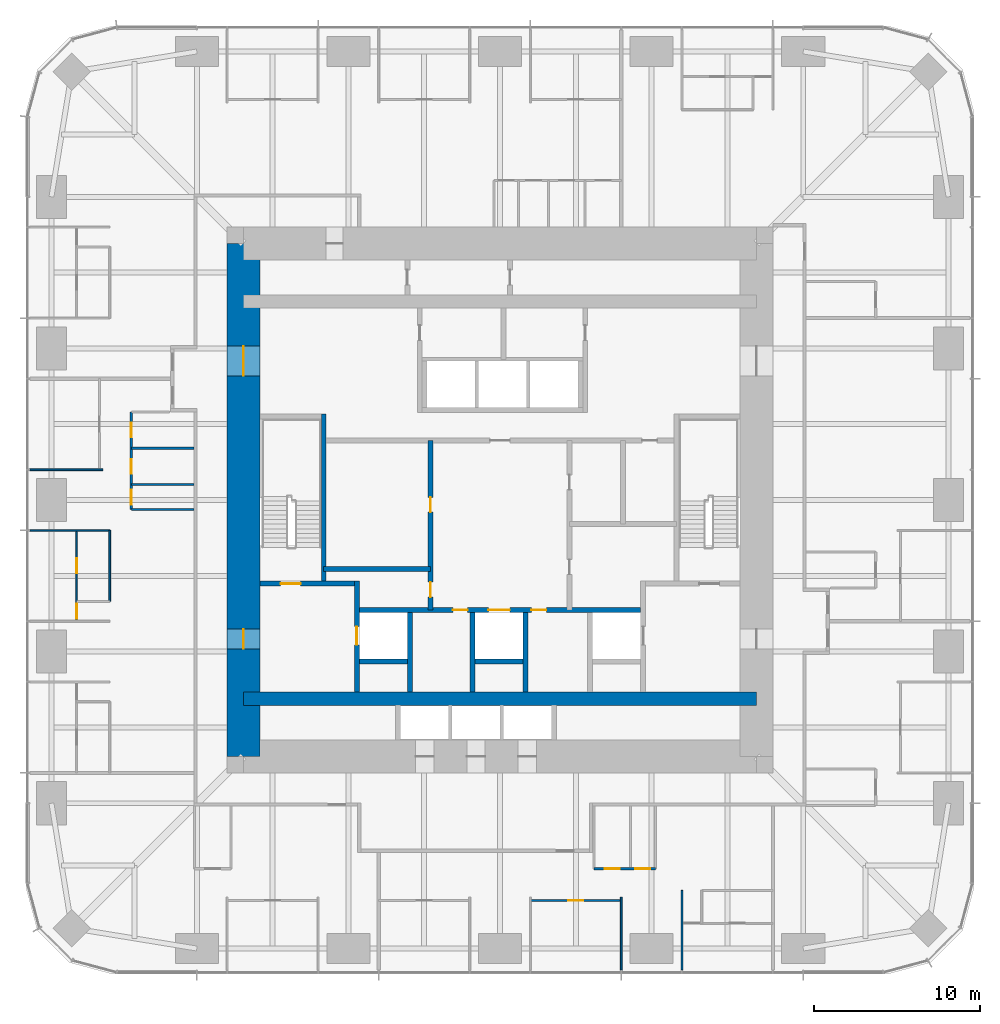
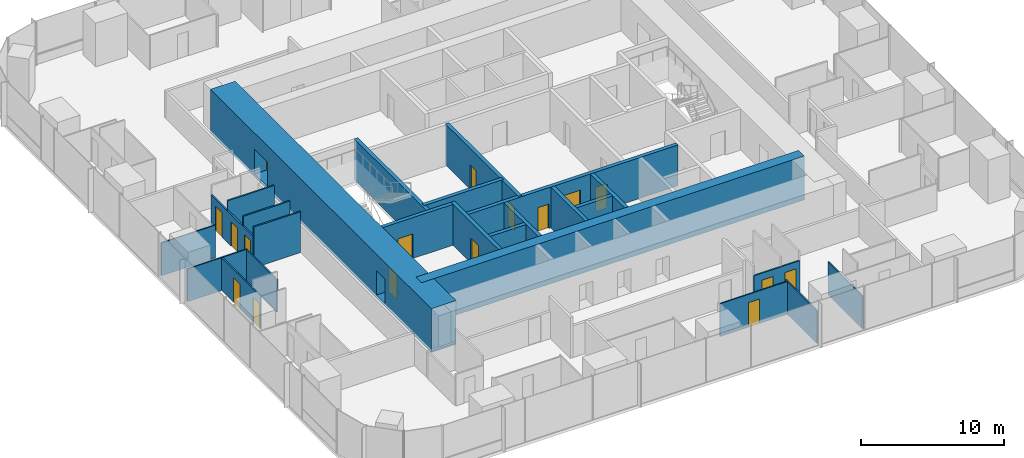
# One storey, part 9 of 13: 25 walls, 17 doors, 17 openings.
"""IFC4 building model written with IfcOpenShell, lengths in metres."""

from ifc_helpers import new_model, si_unit, direction, frame, frame_2d, origin, place, context, subcontext, project, spatial, rectangle, extrude, material, layer, layer_set, type_object, element, fill, save


model = new_model("IFC4")

# Units and contexts
model_context = context("Model", 3, precision=1e-05, world=origin(), true_north=direction((0.0, 1.0)))
body_context = subcontext(model_context, "Body", "Model", "MODEL_VIEW")
ifc_project = project(units=[si_unit("LENGTHUNIT", "METRE"), si_unit("AREAUNIT", "SQUARE_METRE"), si_unit("VOLUMEUNIT", "CUBIC_METRE"), si_unit("PLANEANGLEUNIT", "RADIAN"), si_unit("MASSUNIT", "GRAM", prefix="KILO")], contexts=[model_context])

# Site, building, storey
site_placement = place(None, origin())
site = spatial("IfcSite", under=ifc_project, at=site_placement, CompositionType="ELEMENT")
building_placement = place(site_placement, origin())
building = spatial("IfcBuilding", under=site, at=building_placement, Name="Khuree Lantern Residences", CompositionType="ELEMENT")
storey_placement = place(building_placement, frame((0.0, 0.0, 152.25)))
storey = spatial("IfcBuildingStorey", under=building, at=storey_placement, Name="L38", CompositionType="ELEMENT", Elevation=152.25)

# Wall, openings, doors
ifc_material_1 = material(Name="Moisture-resistant gypsum board on steel studs", Category="steel")
ifc_layer_1 = layer(ifc_material_1, 0.125)
ifc_layer_set_1 = layer_set([ifc_layer_1], Name="BATHROOM WALL BTW125")
wall_type_1 = type_object("IfcWallType", Name="BATHROOM WALL BTW125", PredefinedType="PARTITIONING", material=ifc_layer_set_1)
wall_1_placement = place(storey_placement, frame((-22.27978515625, 5.327880859375, 0.0), z_axis=(0.0, 0.0, 1.0), x_axis=(0.0, -1.0, 0.0)))
wall_1 = element("IfcWall", 1, at=wall_1_placement, inside=storey, type_object=wall_type_1, Name="L38 BATHROOM WALL 04", PredefinedType="PARTITIONING", context=body_context, shape_type="SweptSolid", body=[
    extrude(rectangle(XDim=5.89990234375, YDim=0.125, at=frame_2d((2.949951171875, 0.0))), origin(), (0.0, 0.0, 1.0), 2.699951171875),
])
opening_1_placement = place(wall_1_placement, frame((0.64990234375, 0.0, 0.0)))
opening_1 = element("IfcOpeningElement", 2, at=opening_1_placement, cuts=wall_1, Name="Opening 38-048", PredefinedType="OPENING", context=body_context, shape_type="SweptSolid", body=[
    extrude(rectangle(XDim=0.89990234375, YDim=2.10009765625, at=frame_2d((0.449951171875, 1.050048828125))), frame((0.0, 0.072509765625, 0.0), z_axis=(0.0, -1.0, 0.0), x_axis=(1.0, 0.0, 0.0)), (0.0, 0.0, 1.0), 0.14501953125),
])
opening_2_placement = place(wall_1_placement, frame((2.85009765625, 0.0, 0.0)))
opening_2 = element("IfcOpeningElement", 3, at=opening_2_placement, cuts=wall_1, Name="Opening 38-049", PredefinedType="OPENING", context=body_context, shape_type="SweptSolid", body=[
    extrude(rectangle(XDim=0.89990234375, YDim=2.10009765625, at=frame_2d((0.449951171875, 1.050048828125))), frame((0.0, 0.072509765625, 0.0), z_axis=(0.0, -1.0, 0.0), x_axis=(1.0, 0.0, 0.0)), (0.0, 0.0, 1.0), 0.14501953125),
])
opening_3_placement = place(wall_1_placement, frame((4.699951171875, 0.0, 0.0)))
opening_3 = element("IfcOpeningElement", 4, at=opening_3_placement, cuts=wall_1, Name="Opening 38-050", PredefinedType="OPENING", context=body_context, shape_type="SweptSolid", body=[
    extrude(rectangle(XDim=0.89990234375, YDim=2.10009765625, at=frame_2d((0.449951171875, 1.050048828125))), frame((0.0, 0.072509765625, 0.0), z_axis=(0.0, -1.0, 0.0), x_axis=(1.0, 0.0, 0.0)), (0.0, 0.0, 1.0), 0.14501953125),
])
ifc_material_2 = material(Name="Timber door leaf in hardwood frame", Category="wood")
door_type_1 = type_object("IfcDoorType", Name="BATHROOM DOOR 900X2100", OperationType="SINGLE_SWING_LEFT", PredefinedType="DOOR", material=ifc_material_2)
door_1_placement = place(opening_1_placement, origin())
door_1 = element("IfcDoor", 5, at=door_1_placement, inside=storey, type_object=door_type_1, Name="Bathroom door 38-048", OperationType="SINGLE_SWING_LEFT", OverallHeight=2.10009765625, OverallWidth=0.89990234375, PredefinedType="DOOR", context=body_context, shape_type="SweptSolid", body=[
    extrude(rectangle(XDim=0.89990234375, YDim=2.10009765625, at=frame_2d((0.449951171875, 1.050048828125))), frame((0.0, 0.02490234375, 0.0), z_axis=(0.0, -1.0, 0.0), x_axis=(1.0, 0.0, 0.0)), (0.0, 0.0, 1.0), 0.050048828125),
])
fill(opening_1, door_1)
door_2_placement = place(opening_2_placement, origin())
door_2 = element("IfcDoor", 6, at=door_2_placement, inside=storey, type_object=door_type_1, Name="Bathroom door 38-049", OperationType="SINGLE_SWING_LEFT", OverallHeight=2.10009765625, OverallWidth=0.89990234375, PredefinedType="DOOR", context=body_context, shape_type="SweptSolid", body=[
    extrude(rectangle(XDim=0.89990234375, YDim=2.10009765625, at=frame_2d((0.449951171875, 1.050048828125))), frame((0.0, 0.02490234375, 0.0), z_axis=(0.0, -1.0, 0.0), x_axis=(1.0, 0.0, 0.0)), (0.0, 0.0, 1.0), 0.050048828125),
])
fill(opening_2, door_2)
door_type_2 = type_object("IfcDoorType", Name="WC DOOR 900X2100", OperationType="SINGLE_SWING_LEFT", PredefinedType="DOOR", material=ifc_material_2)
door_3_placement = place(opening_3_placement, origin())
door_3 = element("IfcDoor", 7, at=door_3_placement, inside=storey, type_object=door_type_2, Name="WC door 38-050", OperationType="SINGLE_SWING_LEFT", OverallHeight=2.10009765625, OverallWidth=0.89990234375, PredefinedType="DOOR", context=body_context, shape_type="SweptSolid", body=[
    extrude(rectangle(XDim=0.89990234375, YDim=2.10009765625, at=frame_2d((0.449951171875, 1.050048828125))), frame((0.0, 0.02490234375, 0.0), z_axis=(0.0, -1.0, 0.0), x_axis=(1.0, 0.0, 0.0)), (0.0, 0.0, 1.0), 0.050048828125),
])
fill(opening_3, door_3)

# Walls
for number, where, z_axis, x_axis, name in (
    (8, (-18.5, 3.1279296875, 0.0), (0.0, 0.0, 1.0), (-1.0, 0.0, 0.0), "L38 BATHROOM WALL 04"),
    (9, (-18.5, 0.927978515625, 0.0), (0.0, 0.0, 1.0), (-1.0, 0.0, 0.0), "L38 BATHROOM WALL 04"),
    (10, (-18.5, -0.572021484375, 0.0), (0.0, 0.0, 1.0), (-1.0, 0.0, 0.0), "L38 BATHROOM WALL 04"),
):
    element("IfcWall", number, at=place(storey_placement, frame(where, z_axis=z_axis, x_axis=x_axis)), inside=storey, type_object=wall_type_1, Name=name, PredefinedType="PARTITIONING", context=body_context, shape_type="SweptSolid", body=[
        extrude(rectangle(XDim=3.77978515625, YDim=0.125, at=frame_2d((1.889892578125, 0.0))), origin(), (0.0, 0.0, 1.0), 3.5),
    ])

# Wall, openings, doors
wall_2_placement = place(storey_placement, frame((5.68359375, -22.27978515625, 0.0), z_axis=(0.0, 0.0, 1.0), x_axis=(1.0, 0.0, 0.0)))
wall_2 = element("IfcWall", 11, at=wall_2_placement, inside=storey, type_object=wall_type_1, Name="L38 BATHROOM WALL 06", PredefinedType="PARTITIONING", context=body_context, shape_type="SweptSolid", body=[
    extrude(rectangle(XDim=3.699951171875, YDim=0.125, at=frame_2d((1.85009765625, 0.0))), origin(), (0.0, 0.0, 1.0), 2.699951171875),
])
opening_4_placement = place(wall_2_placement, frame((0.64990234375, 0.0, 0.0)))
opening_4 = element("IfcOpeningElement", 12, at=opening_4_placement, cuts=wall_2, Name="Opening 38-059", PredefinedType="OPENING", context=body_context, shape_type="SweptSolid", body=[
    extrude(rectangle(XDim=0.89990234375, YDim=2.10009765625, at=frame_2d((0.449951171875, 1.050048828125))), frame((0.0, 0.072509765625, 0.0), z_axis=(0.0, -1.0, 0.0), x_axis=(1.0, 0.0, 0.0)), (0.0, 0.0, 1.0), 0.14501953125),
])
opening_5_placement = place(wall_2_placement, frame((2.5, 0.0, 0.0)))
opening_5 = element("IfcOpeningElement", 13, at=opening_5_placement, cuts=wall_2, Name="Opening 38-060", PredefinedType="OPENING", context=body_context, shape_type="SweptSolid", body=[
    extrude(rectangle(XDim=0.89990234375, YDim=2.10009765625, at=frame_2d((0.449951171875, 1.050048828125))), frame((0.0, 0.072509765625, 0.0), z_axis=(0.0, -1.0, 0.0), x_axis=(1.0, 0.0, 0.0)), (0.0, 0.0, 1.0), 0.14501953125),
])
door_4_placement = place(opening_4_placement, origin())
door_4 = element("IfcDoor", 14, at=door_4_placement, inside=storey, type_object=door_type_1, Name="Bathroom door 38-059", OperationType="SINGLE_SWING_LEFT", OverallHeight=2.10009765625, OverallWidth=0.89990234375, PredefinedType="DOOR", context=body_context, shape_type="SweptSolid", body=[
    extrude(rectangle(XDim=0.89990234375, YDim=2.10009765625, at=frame_2d((0.449951171875, 1.050048828125))), frame((0.0, 0.02490234375, 0.0), z_axis=(0.0, -1.0, 0.0), x_axis=(1.0, 0.0, 0.0)), (0.0, 0.0, 1.0), 0.050048828125),
])
fill(opening_4, door_4)
door_5_placement = place(opening_5_placement, origin())
door_5 = element("IfcDoor", 15, at=door_5_placement, inside=storey, type_object=door_type_2, Name="WC door 38-060", OperationType="SINGLE_SWING_LEFT", OverallHeight=2.10009765625, OverallWidth=0.89990234375, PredefinedType="DOOR", context=body_context, shape_type="SweptSolid", body=[
    extrude(rectangle(XDim=0.89990234375, YDim=2.10009765625, at=frame_2d((0.449951171875, 1.050048828125))), frame((0.0, 0.02490234375, 0.0), z_axis=(0.0, -1.0, 0.0), x_axis=(1.0, 0.0, 0.0)), (0.0, 0.0, 1.0), 0.050048828125),
])
fill(opening_5, door_5)

# Wall, opening, door
ifc_material_3 = material(Name="Dense concrete blockwork", Category="masonry")
ifc_layer_2 = layer(ifc_material_3, 0.300048828125)
ifc_layer_set_2 = layer_set([ifc_layer_2], Name="CORE PARTITION WALL CPW300 EI 120")
wall_type_2 = type_object("IfcWallType", Name="CORE PARTITION WALL CPW300 EI 120", PredefinedType="PARTITIONING", material=ifc_layer_set_2)
wall_3_placement = place(storey_placement, frame((-8.64990234375, -11.60009765625, 0.0), z_axis=(0.0, 0.0, 1.0), x_axis=(0.0, 1.0, 0.0)))
wall_3 = element("IfcWall", 16, at=wall_3_placement, inside=storey, type_object=wall_type_2, Name="L38 CORE WALL FL1W", PredefinedType="PARTITIONING", context=body_context, shape_type="SweptSolid", body=[
    extrude(rectangle(XDim=6.7001953125, YDim=0.300048828125, at=frame_2d((3.35009765625, 0.0))), origin(), (0.0, 0.0, 1.0), 3.5),
])
opening_6_placement = place(wall_3_placement, frame((2.85009765625, 0.0, 0.0)))
opening_6 = element("IfcOpeningElement", 17, at=opening_6_placement, cuts=wall_3, Name="Opening 38-007", PredefinedType="OPENING", context=body_context, shape_type="SweptSolid", body=[
    extrude(rectangle(XDim=1.10009765625, YDim=2.10009765625, at=frame_2d((0.550048828125, 1.050048828125))), frame((0.0, 0.16015625, 0.0), z_axis=(0.0, -1.0, 0.0), x_axis=(1.0, 0.0, 0.0)), (0.0, 0.0, 1.0), 0.320068359375),
])
ifc_material_4 = material(Name="Stainless steel lift landing door", Category="steel")
door_type_3 = type_object("IfcDoorType", Name="LIFT LANDING DOOR 1100X2100 E 120", OperationType="DOUBLE_DOOR_SLIDING", PredefinedType="DOOR", material=ifc_material_4)
door_6_placement = place(opening_6_placement, origin())
door_6 = element("IfcDoor", 18, at=door_6_placement, inside=storey, type_object=door_type_3, Name="Landing door FL1 38-007", OperationType="DOUBLE_DOOR_SLIDING", OverallHeight=2.10009765625, OverallWidth=1.10009765625, PredefinedType="DOOR", context=body_context, shape_type="SweptSolid", body=[
    extrude(rectangle(XDim=1.10009765625, YDim=2.10009765625, at=frame_2d((0.550048828125, 1.050048828125))), frame((0.0, 0.02490234375, 0.0), z_axis=(0.0, -1.0, 0.0), x_axis=(1.0, 0.0, 0.0)), (0.0, 0.0, 1.0), 0.050048828125),
])
fill(opening_6, door_6)

# Wall, openings, doors
wall_4_placement = place(storey_placement, frame((-8.5, -6.64990234375, 0.0), z_axis=(0.0, 0.0, 1.0), x_axis=(1.0, 0.0, 0.0)))
wall_4 = element("IfcWall", 19, at=wall_4_placement, inside=storey, type_object=wall_type_2, Name="L38 CORE WALL FLROW", PredefinedType="PARTITIONING", context=body_context, shape_type="SweptSolid", body=[
    extrude(rectangle(XDim=17.0, YDim=0.300048828125, at=frame_2d((8.5, 0.0))), origin(), (0.0, 0.0, 1.0), 3.5),
])
opening_7_placement = place(wall_4_placement, frame((7.800048828125, 0.0, 0.0)))
opening_7 = element("IfcOpeningElement", 20, at=opening_7_placement, cuts=wall_4, Name="Opening 38-012", PredefinedType="OPENING", context=body_context, shape_type="SweptSolid", body=[
    extrude(rectangle(XDim=1.300048828125, YDim=2.39990234375, at=frame_2d((0.64990234375, 1.199951171875))), frame((0.0, 0.16015625, 0.0), z_axis=(0.0, -1.0, 0.0), x_axis=(1.0, 0.0, 0.0)), (0.0, 0.0, 1.0), 0.320068359375),
])
opening_8_placement = place(wall_4_placement, frame((5.64990234375, 0.0, 0.0)))
opening_8 = element("IfcOpeningElement", 21, at=opening_8_placement, cuts=wall_4, Name="Opening 38-014", PredefinedType="OPENING", context=body_context, shape_type="SweptSolid", body=[
    extrude(rectangle(XDim=0.89990234375, YDim=2.10009765625, at=frame_2d((0.449951171875, 1.050048828125))), frame((0.0, 0.16015625, 0.0), z_axis=(0.0, -1.0, 0.0), x_axis=(1.0, 0.0, 0.0)), (0.0, 0.0, 1.0), 0.320068359375),
])
opening_9_placement = place(wall_4_placement, frame((10.39990234375, 0.0, 0.0)))
opening_9 = element("IfcOpeningElement", 22, at=opening_9_placement, cuts=wall_4, Name="Opening 38-015", PredefinedType="OPENING", context=body_context, shape_type="SweptSolid", body=[
    extrude(rectangle(XDim=0.89990234375, YDim=2.10009765625, at=frame_2d((0.449951171875, 1.050048828125))), frame((0.0, 0.16015625, 0.0), z_axis=(0.0, -1.0, 0.0), x_axis=(1.0, 0.0, 0.0)), (0.0, 0.0, 1.0), 0.320068359375),
])
ifc_material_5 = material(Name="Steel door leaf in steel frame", Category="steel")
door_type_4 = type_object("IfcDoorType", Name="DOOR 900X2100 EI 60", OperationType="SINGLE_SWING_LEFT", PredefinedType="DOOR", material=ifc_material_5)
door_7_placement = place(opening_8_placement, origin())
door_7 = element("IfcDoor", 23, at=door_7_placement, inside=storey, type_object=door_type_4, Name="Refuse chute room door 38-014", OperationType="SINGLE_SWING_LEFT", OverallHeight=2.10009765625, OverallWidth=0.89990234375, PredefinedType="DOOR", context=body_context, shape_type="SweptSolid", body=[
    extrude(rectangle(XDim=0.89990234375, YDim=2.10009765625, at=frame_2d((0.449951171875, 1.050048828125))), frame((0.0, 0.02490234375, 0.0), z_axis=(0.0, -1.0, 0.0), x_axis=(1.0, 0.0, 0.0)), (0.0, 0.0, 1.0), 0.050048828125),
])
fill(opening_8, door_7)
door_type_5 = type_object("IfcDoorType", Name="DOOR 900X2100 EI 60 RIGHT HAND", OperationType="SINGLE_SWING_RIGHT", PredefinedType="DOOR", material=ifc_material_5)
door_8_placement = place(opening_9_placement, origin())
door_8 = element("IfcDoor", 24, at=door_8_placement, inside=storey, type_object=door_type_5, Name="Electrical and plumbing riser door 38-015", OperationType="SINGLE_SWING_RIGHT", OverallHeight=2.10009765625, OverallWidth=0.89990234375, PredefinedType="DOOR", context=body_context, shape_type="SweptSolid", body=[
    extrude(rectangle(XDim=0.89990234375, YDim=2.10009765625, at=frame_2d((0.449951171875, 1.050048828125))), frame((0.0, 0.02490234375, 0.0), z_axis=(0.0, -1.0, 0.0), x_axis=(1.0, 0.0, 0.0)), (0.0, 0.0, 1.0), 0.050048828125),
])
fill(opening_9, door_8)
door_type_6 = type_object("IfcDoorType", Name="LIFT LANDING DOOR 1300X2400 E 60", OperationType="DOUBLE_DOOR_SLIDING", PredefinedType="DOOR", material=ifc_material_4)
door_9_placement = place(opening_7_placement, origin())
door_9 = element("IfcDoor", 25, at=door_9_placement, inside=storey, type_object=door_type_6, Name="Landing door SL1 38-012", OperationType="DOUBLE_DOOR_SLIDING", OverallHeight=2.39990234375, OverallWidth=1.300048828125, PredefinedType="DOOR", context=body_context, shape_type="SweptSolid", body=[
    extrude(rectangle(XDim=1.300048828125, YDim=2.39990234375, at=frame_2d((0.64990234375, 1.199951171875))), frame((0.0, 0.02490234375, 0.0), z_axis=(0.0, -1.0, 0.0), x_axis=(1.0, 0.0, 0.0)), (0.0, 0.0, 1.0), 0.050048828125),
])
fill(opening_7, door_9)

# Walls
for number, where, z_axis, x_axis, name in (
    (26, (-5.449951171875, -11.60009765625, 0.0), (0.0, 0.0, 1.0), (0.0, 1.0, 0.0), "L38 CORE WALL FL1E"),
    (27, (-1.64990234375, -11.60009765625, 0.0), (0.0, 0.0, 1.0), (0.0, 1.0, 0.0), "L38 CORE WALL SL1W"),
    (28, (1.550048828125, -11.60009765625, 0.0), (0.0, 0.0, 1.0), (0.0, 1.0, 0.0), "L38 CORE WALL SL1E"),
):
    element("IfcWall", number, at=place(storey_placement, frame(where, z_axis=z_axis, x_axis=x_axis)), inside=storey, type_object=wall_type_2, Name=name, PredefinedType="PARTITIONING", context=body_context, shape_type="SweptSolid", body=[
        extrude(rectangle(XDim=4.800048828125, YDim=0.300048828125, at=frame_2d((2.39990234375, 0.0))), origin(), (0.0, 0.0, 1.0), 3.5),
    ])
for number, where, z_axis, x_axis, name in (
    (29, (-8.5, -9.75, 0.0), (0.0, 0.0, 1.0), (1.0, 0.0, 0.0), "L38 CORE WALL FL1S"),
    (30, (-1.5, -9.75, 0.0), (0.0, 0.0, 1.0), (1.0, 0.0, 0.0), "L38 CORE WALL SL1S"),
):
    element("IfcWall", number, at=place(storey_placement, frame(where, z_axis=z_axis, x_axis=x_axis)), inside=storey, type_object=wall_type_2, Name=name, PredefinedType="PARTITIONING", context=body_context, shape_type="SweptSolid", body=[
        extrude(rectangle(XDim=2.89990234375, YDim=0.300048828125, at=frame_2d((1.449951171875, 0.0))), origin(), (0.0, 0.0, 1.0), 3.5),
    ])

# Wall, openings, doors
wall_5_placement = place(storey_placement, frame((-4.199951171875, -6.64990234375, 0.0), z_axis=(0.0, 0.0, 1.0), x_axis=(0.0, 1.0, 0.0)))
wall_5 = element("IfcWall", 31, at=wall_5_placement, inside=storey, type_object=wall_type_2, Name="L38 CORE WALL SVW", PredefinedType="PARTITIONING", context=body_context, shape_type="SweptSolid", body=[
    extrude(rectangle(XDim=10.25, YDim=0.300048828125, at=frame_2d((5.125, 0.0))), origin(), (0.0, 0.0, 1.0), 3.5),
])
opening_10_placement = place(wall_5_placement, frame((0.787109375, 0.0, 0.0)))
opening_10 = element("IfcOpeningElement", 32, at=opening_10_placement, cuts=wall_5, Name="Opening 38-016", PredefinedType="OPENING", context=body_context, shape_type="SweptSolid", body=[
    extrude(rectangle(XDim=0.89990234375, YDim=2.10009765625, at=frame_2d((0.449951171875, 1.050048828125))), frame((0.0, 0.16015625, 0.0), z_axis=(0.0, -1.0, 0.0), x_axis=(1.0, 0.0, 0.0)), (0.0, 0.0, 1.0), 0.320068359375),
])
opening_11_placement = place(wall_5_placement, frame((5.912109375, 0.0, 0.0)))
opening_11 = element("IfcOpeningElement", 33, at=opening_11_placement, cuts=wall_5, Name="Opening 38-017", PredefinedType="OPENING", context=body_context, shape_type="SweptSolid", body=[
    extrude(rectangle(XDim=0.89990234375, YDim=2.10009765625, at=frame_2d((0.449951171875, 1.050048828125))), frame((0.0, 0.16015625, 0.0), z_axis=(0.0, -1.0, 0.0), x_axis=(1.0, 0.0, 0.0)), (0.0, 0.0, 1.0), 0.320068359375),
])
door_type_7 = type_object("IfcDoorType", Name="DOOR 900X2100", OperationType="SINGLE_SWING_LEFT", PredefinedType="DOOR", material=ifc_material_2)
door_10_placement = place(opening_10_placement, origin())
door_10 = element("IfcDoor", 34, at=door_10_placement, inside=storey, type_object=door_type_7, Name="Comms room door 38-016", OperationType="SINGLE_SWING_LEFT", OverallHeight=2.10009765625, OverallWidth=0.89990234375, PredefinedType="DOOR", context=body_context, shape_type="SweptSolid", body=[
    extrude(rectangle(XDim=0.89990234375, YDim=2.10009765625, at=frame_2d((0.449951171875, 1.050048828125))), frame((0.0, 0.02490234375, 0.0), z_axis=(0.0, -1.0, 0.0), x_axis=(1.0, 0.0, 0.0)), (0.0, 0.0, 1.0), 0.050048828125),
])
fill(opening_10, door_10)
door_11_placement = place(opening_11_placement, origin())
door_11 = element("IfcDoor", 35, at=door_11_placement, inside=storey, type_object=door_type_7, Name="Residents' store door 38-017", OperationType="SINGLE_SWING_LEFT", OverallHeight=2.10009765625, OverallWidth=0.89990234375, PredefinedType="DOOR", context=body_context, shape_type="SweptSolid", body=[
    extrude(rectangle(XDim=0.89990234375, YDim=2.10009765625, at=frame_2d((0.449951171875, 1.050048828125))), frame((0.0, 0.02490234375, 0.0), z_axis=(0.0, -1.0, 0.0), x_axis=(1.0, 0.0, 0.0)), (0.0, 0.0, 1.0), 0.050048828125),
])
fill(opening_11, door_11)

# Wall
wall_6_placement = place(storey_placement, frame((-10.64990234375, -4.177001953125, 0.0), z_axis=(0.0, 0.0, 1.0), x_axis=(1.0, 0.0, 0.0)))
element("IfcWall", 36, at=wall_6_placement, inside=storey, type_object=wall_type_2, Name="L38 CORE WALL WX", PredefinedType="PARTITIONING", context=body_context, shape_type="SweptSolid", body=[
    extrude(rectangle(XDim=6.449951171875, YDim=0.300048828125, at=frame_2d((3.22509765625, 0.0))), origin(), (0.0, 0.0, 1.0), 3.5),
])

# Wall, openings, doors
ifc_material_6 = material(Name="Concrete C70/85", Category="concrete")
ifc_layer_3 = layer(ifc_material_6, 2.0)
ifc_layer_set_3 = layer_set([ifc_layer_3], Name="CW2000-C70 CORE WALL C70 2000")
wall_type_3 = type_object("IfcWallType", Name="CW2000-C70 CORE WALL C70 2000", PredefinedType="SHEAR", material=ifc_layer_set_3)
wall_7_placement = place(storey_placement, frame((-15.5, -15.5, -0.25), z_axis=(0.0, 0.0, 1.0), x_axis=(0.0, 1.0, 0.0)))
wall_7 = element("IfcWall", 37, at=wall_7_placement, inside=storey, type_object=wall_type_3, Name="Core wall W", PredefinedType="SHEAR", context=body_context, shape_type="SweptSolid", body=[
    extrude(rectangle(XDim=31.0, YDim=2.0, at=frame_2d((15.5, 0.0))), origin(), (0.0, 0.0, 1.0), 3.75),
])
opening_12_placement = place(wall_7_placement, frame((6.5, 0.0, 0.25)))
opening_12 = element("IfcOpeningElement", 38, at=opening_12_placement, cuts=wall_7, Name="Opening 38-002", PredefinedType="OPENING", context=body_context, shape_type="SweptSolid", body=[
    extrude(rectangle(XDim=1.199951171875, YDim=2.10009765625, at=frame_2d((0.60009765625, 1.050048828125))), frame((0.0, 1.010009765625, 0.0), z_axis=(0.0, -1.0, 0.0), x_axis=(1.0, 0.0, 0.0)), (0.0, 0.0, 1.0), 2.02001953125),
])
opening_13_placement = place(wall_7_placement, frame((23.0, 0.0, 0.25)))
opening_13 = element("IfcOpeningElement", 39, at=opening_13_placement, cuts=wall_7, Name="Opening 38-003", PredefinedType="OPENING", context=body_context, shape_type="SweptSolid", body=[
    extrude(rectangle(XDim=1.800048828125, YDim=2.10009765625, at=frame_2d((0.89990234375, 1.050048828125))), frame((0.0, 1.010009765625, 0.0), z_axis=(0.0, -1.0, 0.0), x_axis=(1.0, 0.0, 0.0)), (0.0, 0.0, 1.0), 2.02001953125),
])
door_type_8 = type_object("IfcDoorType", Name="LOBBY DOOR 1200X2100 EI 120", OperationType="SINGLE_SWING_LEFT", PredefinedType="DOOR", material=ifc_material_5)
door_12_placement = place(opening_12_placement, origin())
door_12 = element("IfcDoor", 40, at=door_12_placement, inside=storey, type_object=door_type_8, Name="Firefighting lobby door 38-002", OperationType="SINGLE_SWING_LEFT", OverallHeight=2.10009765625, OverallWidth=1.199951171875, PredefinedType="DOOR", context=body_context, shape_type="SweptSolid", body=[
    extrude(rectangle(XDim=1.199951171875, YDim=2.10009765625, at=frame_2d((0.60009765625, 1.050048828125))), frame((0.0, 0.02490234375, 0.0), z_axis=(0.0, -1.0, 0.0), x_axis=(1.0, 0.0, 0.0)), (0.0, 0.0, 1.0), 0.050048828125),
])
fill(opening_12, door_12)
door_type_9 = type_object("IfcDoorType", Name="LOBBY DOUBLE DOOR 1800X2100 EI 60", OperationType="DOUBLE_DOOR_SINGLE_SWING", PredefinedType="DOOR", material=ifc_material_5)
door_13_placement = place(opening_13_placement, origin())
door_13 = element("IfcDoor", 41, at=door_13_placement, inside=storey, type_object=door_type_9, Name="Lift lobby door 38-003", OperationType="DOUBLE_DOOR_SINGLE_SWING", OverallHeight=2.10009765625, OverallWidth=1.800048828125, PredefinedType="DOOR", context=body_context, shape_type="SweptSolid", body=[
    extrude(rectangle(XDim=1.800048828125, YDim=2.10009765625, at=frame_2d((0.89990234375, 1.050048828125))), frame((0.0, 0.02490234375, 0.0), z_axis=(0.0, -1.0, 0.0), x_axis=(1.0, 0.0, 0.0)), (0.0, 0.0, 1.0), 0.050048828125),
])
fill(opening_13, door_13)

# Walls
ifc_material_7 = material(Name="Gypsum board on steel studs", Category="steel")
ifc_layer_4 = layer(ifc_material_7, 0.10009765625)
ifc_layer_set_4 = layer_set([ifc_layer_4], Name="PARTITION PT100")
wall_type_4 = type_object("IfcWallType", Name="PARTITION PT100", PredefinedType="PARTITIONING", material=ifc_layer_set_4)
wall_8_placement = place(storey_placement, frame((-24.0, 1.83203125, 0.0), z_axis=(0.0, 0.0, 1.0), x_axis=(-1.0, 0.0, 0.0)))
element("IfcWall", 42, at=wall_8_placement, inside=storey, type_object=wall_type_4, Name="L38 PARTITION 04", PredefinedType="PARTITIONING", context=body_context, shape_type="SweptSolid", body=[
    extrude(rectangle(XDim=4.39990234375, YDim=0.10009765625, at=frame_2d((2.199951171875, 0.0))), origin(), (0.0, 0.0, 1.0), 2.81005859375),
])
wall_9_placement = place(storey_placement, frame((-23.579833984375, -1.83203125, 0.0), z_axis=(0.0, 0.0, 1.0), x_axis=(-1.0, 0.0, 0.0)))
element("IfcWall", 43, at=wall_9_placement, inside=storey, type_object=wall_type_4, Name="L38 PARTITION 04", PredefinedType="PARTITIONING", context=body_context, shape_type="SweptSolid", body=[
    extrude(rectangle(XDim=4.820068359375, YDim=0.10009765625, at=frame_2d((2.41015625, 0.0))), origin(), (0.0, 0.0, 1.0), 2.81005859375),
])
wall_10_placement = place(storey_placement, frame((7.327880859375, -24.0, 0.0), z_axis=(0.0, 0.0, 1.0), x_axis=(0.0, -1.0, 0.0)))
element("IfcWall", 44, at=wall_10_placement, inside=storey, type_object=wall_type_4, Name="L38 PARTITION 06", PredefinedType="PARTITIONING", context=body_context, shape_type="SweptSolid", body=[
    extrude(rectangle(XDim=4.39990234375, YDim=0.10009765625, at=frame_2d((2.199951171875, 0.0))), origin(), (0.0, 0.0, 1.0), 2.81005859375),
])
wall_11_placement = place(storey_placement, frame((10.991943359375, -23.579833984375, 0.0), z_axis=(0.0, 0.0, 1.0), x_axis=(0.0, -1.0, 0.0)))
element("IfcWall", 45, at=wall_11_placement, inside=storey, type_object=wall_type_4, Name="L38 PARTITION 06", PredefinedType="PARTITIONING", context=body_context, shape_type="SweptSolid", body=[
    extrude(rectangle(XDim=4.820068359375, YDim=0.10009765625, at=frame_2d((2.41015625, 0.0))), origin(), (0.0, 0.0, 1.0), 2.81005859375),
])

# Wall, openings, doors
wall_12_placement = place(storey_placement, frame((-25.579833984375, -1.83203125, 0.0), z_axis=(0.0, 0.0, 1.0), x_axis=(0.0, -1.0, 0.0)))
wall_12 = element("IfcWall", 46, at=wall_12_placement, inside=storey, type_object=wall_type_4, Name="L38 PARTITION 04", PredefinedType="PARTITIONING", context=body_context, shape_type="SweptSolid", body=[
    extrude(rectangle(XDim=5.495849609375, YDim=0.10009765625, at=frame_2d((2.748046875, 0.0))), origin(), (0.0, 0.0, 1.0), 2.81005859375),
])
opening_14_placement = place(wall_12_placement, frame((4.446044921875, 0.0, 0.0)))
opening_14 = element("IfcOpeningElement", 47, at=opening_14_placement, cuts=wall_12, Name="Opening 38-044", PredefinedType="OPENING", context=body_context, shape_type="SweptSolid", body=[
    extrude(rectangle(XDim=0.89990234375, YDim=2.10009765625, at=frame_2d((0.449951171875, 1.050048828125))), frame((0.0, 0.06005859375, 0.0), z_axis=(0.0, -1.0, 0.0), x_axis=(1.0, 0.0, 0.0)), (0.0, 0.0, 1.0), 0.1201171875),
])
opening_15_placement = place(wall_12_placement, frame((1.697998046875, 0.0, 0.0)))
opening_15 = element("IfcOpeningElement", 48, at=opening_15_placement, cuts=wall_12, Name="Opening 38-045", PredefinedType="OPENING", context=body_context, shape_type="SweptSolid", body=[
    extrude(rectangle(XDim=0.89990234375, YDim=2.10009765625, at=frame_2d((0.449951171875, 1.050048828125))), frame((0.0, 0.06005859375, 0.0), z_axis=(0.0, -1.0, 0.0), x_axis=(1.0, 0.0, 0.0)), (0.0, 0.0, 1.0), 0.1201171875),
])
door_type_10 = type_object("IfcDoorType", Name="BEDROOM DOOR 900X2100", OperationType="SINGLE_SWING_LEFT", PredefinedType="DOOR", material=ifc_material_2)
door_14_placement = place(opening_14_placement, origin())
door_14 = element("IfcDoor", 49, at=door_14_placement, inside=storey, type_object=door_type_10, Name="Bedroom door 38-044", OperationType="SINGLE_SWING_LEFT", OverallHeight=2.10009765625, OverallWidth=0.89990234375, PredefinedType="DOOR", context=body_context, shape_type="SweptSolid", body=[
    extrude(rectangle(XDim=0.89990234375, YDim=2.10009765625, at=frame_2d((0.449951171875, 1.050048828125))), frame((0.0, 0.02490234375, 0.0), z_axis=(0.0, -1.0, 0.0), x_axis=(1.0, 0.0, 0.0)), (0.0, 0.0, 1.0), 0.050048828125),
])
fill(opening_14, door_14)
door_15_placement = place(opening_15_placement, origin())
door_15 = element("IfcDoor", 50, at=door_15_placement, inside=storey, type_object=door_type_7, Name="Wardrobe door 38-045", OperationType="SINGLE_SWING_LEFT", OverallHeight=2.10009765625, OverallWidth=0.89990234375, PredefinedType="DOOR", context=body_context, shape_type="SweptSolid", body=[
    extrude(rectangle(XDim=0.89990234375, YDim=2.10009765625, at=frame_2d((0.449951171875, 1.050048828125))), frame((0.0, 0.02490234375, 0.0), z_axis=(0.0, -1.0, 0.0), x_axis=(1.0, 0.0, 0.0)), (0.0, 0.0, 1.0), 0.050048828125),
])
fill(opening_15, door_15)

# Wall
wall_13_placement = place(storey_placement, frame((-23.579833984375, -1.83203125, 0.0), z_axis=(0.0, 0.0, 1.0), x_axis=(0.0, -1.0, 0.0)))
element("IfcWall", 51, at=wall_13_placement, inside=storey, type_object=wall_type_4, Name="L38 PARTITION 04", PredefinedType="PARTITIONING", context=body_context, shape_type="SweptSolid", body=[
    extrude(rectangle(XDim=4.2958984375, YDim=0.10009765625, at=frame_2d((2.14794921875, 0.0))), origin(), (0.0, 0.0, 1.0), 2.81005859375),
])

# Wall, opening, door
wall_14_placement = place(storey_placement, frame((1.83203125, -24.199951171875, 0.0), z_axis=(0.0, 0.0, 1.0), x_axis=(1.0, 0.0, 0.0)))
wall_14 = element("IfcWall", 52, at=wall_14_placement, inside=storey, type_object=wall_type_4, Name="L38 PARTITION 06", PredefinedType="PARTITIONING", context=body_context, shape_type="SweptSolid", body=[
    extrude(rectangle(XDim=5.495849609375, YDim=0.10009765625, at=frame_2d((2.748046875, 0.0))), origin(), (0.0, 0.0, 1.0), 2.81005859375),
])
opening_16_placement = place(wall_14_placement, frame((2.298095703125, 0.0, 0.0)))
opening_16 = element("IfcOpeningElement", 53, at=opening_16_placement, cuts=wall_14, Name="Opening 38-056", PredefinedType="OPENING", context=body_context, shape_type="SweptSolid", body=[
    extrude(rectangle(XDim=0.89990234375, YDim=2.10009765625, at=frame_2d((0.449951171875, 1.050048828125))), frame((0.0, 0.06005859375, 0.0), z_axis=(0.0, -1.0, 0.0), x_axis=(1.0, 0.0, 0.0)), (0.0, 0.0, 1.0), 0.1201171875),
])
door_16_placement = place(opening_16_placement, origin())
door_16 = element("IfcDoor", 54, at=door_16_placement, inside=storey, type_object=door_type_10, Name="Bedroom door 38-056", OperationType="SINGLE_SWING_LEFT", OverallHeight=2.10009765625, OverallWidth=0.89990234375, PredefinedType="DOOR", context=body_context, shape_type="SweptSolid", body=[
    extrude(rectangle(XDim=0.89990234375, YDim=2.10009765625, at=frame_2d((0.449951171875, 1.050048828125))), frame((0.0, 0.02490234375, 0.0), z_axis=(0.0, -1.0, 0.0), x_axis=(1.0, 0.0, 0.0)), (0.0, 0.0, 1.0), 0.050048828125),
])
fill(opening_16, door_16)

# Walls
ifc_layer_5 = layer(ifc_material_6, 0.800048828125)
ifc_layer_set_5 = layer_set([ifc_layer_5], Name="SP800-C70 CORE SPINE WALL C70 800")
wall_type_5 = type_object("IfcWallType", Name="SP800-C70 CORE SPINE WALL C70 800", PredefinedType="SHEAR", material=ifc_layer_set_5)
wall_15_placement = place(storey_placement, frame((-15.5, -12.0, -0.25), z_axis=(0.0, 0.0, 1.0), x_axis=(1.0, 0.0, 0.0)))
element("IfcWall", 55, at=wall_15_placement, inside=storey, type_object=wall_type_5, Name="Core wall SPS", PredefinedType="SHEAR", context=body_context, shape_type="SweptSolid", body=[
    extrude(rectangle(XDim=31.0, YDim=0.800048828125, at=frame_2d((15.5, 0.0))), origin(), (0.0, 0.0, 1.0), 3.75),
])
ifc_material_8 = material(Name="Concrete C50/60", Category="concrete")
ifc_layer_6 = layer(ifc_material_8, 0.300048828125)
ifc_layer_set_6 = layer_set([ifc_layer_6], Name="STAIR WALL SRW300 C50/60 REI 240")
wall_type_6 = type_object("IfcWallType", Name="STAIR WALL SRW300 C50/60 REI 240", PredefinedType="SOLIDWALL", material=ifc_layer_set_6)
wall_16_placement = place(storey_placement, frame((-10.64990234375, -4.89990234375, 0.0), z_axis=(0.0, 0.0, 1.0), x_axis=(0.0, 1.0, 0.0)))
element("IfcWall", 56, at=wall_16_placement, inside=storey, type_object=wall_type_6, Name="L38 STAIR WALL ST1E", PredefinedType="SOLIDWALL", context=body_context, shape_type="SweptSolid", body=[
    extrude(rectangle(XDim=10.099853515625, YDim=0.300048828125, at=frame_2d((5.0498046875, 0.0))), origin(), (0.0, 0.0, 1.0), 3.5),
])

# Wall, opening, door
wall_17_placement = place(storey_placement, frame((-14.5, -5.050048828125, 0.0), z_axis=(0.0, 0.0, 1.0), x_axis=(1.0, 0.0, 0.0)))
wall_17 = element("IfcWall", 57, at=wall_17_placement, inside=storey, type_object=wall_type_6, Name="L38 STAIR WALL ST1S", PredefinedType="SOLIDWALL", context=body_context, shape_type="SweptSolid", body=[
    extrude(rectangle(XDim=5.699951171875, YDim=0.300048828125, at=frame_2d((2.85009765625, 0.0))), origin(), (0.0, 0.0, 1.0), 3.5),
])
opening_17_placement = place(wall_17_placement, frame((1.25, 0.0, 0.0)))
opening_17 = element("IfcOpeningElement", 58, at=opening_17_placement, cuts=wall_17, Name="Opening 38-001", PredefinedType="OPENING", context=body_context, shape_type="SweptSolid", body=[
    extrude(rectangle(XDim=1.199951171875, YDim=2.10009765625, at=frame_2d((0.60009765625, 1.050048828125))), frame((0.0, 0.16015625, 0.0), z_axis=(0.0, -1.0, 0.0), x_axis=(1.0, 0.0, 0.0)), (0.0, 0.0, 1.0), 0.320068359375),
])
door_type_11 = type_object("IfcDoorType", Name="STAIR DOOR 1200X2100 EI 120", OperationType="SINGLE_SWING_LEFT", PredefinedType="DOOR", material=ifc_material_5)
door_17_placement = place(opening_17_placement, origin())
door_17 = element("IfcDoor", 59, at=door_17_placement, inside=storey, type_object=door_type_11, Name="Stair ST1 door 38-001", OperationType="SINGLE_SWING_LEFT", OverallHeight=2.10009765625, OverallWidth=1.199951171875, PredefinedType="DOOR", context=body_context, shape_type="SweptSolid", body=[
    extrude(rectangle(XDim=1.199951171875, YDim=2.10009765625, at=frame_2d((0.60009765625, 1.050048828125))), frame((0.0, 0.02490234375, 0.0), z_axis=(0.0, -1.0, 0.0), x_axis=(1.0, 0.0, 0.0)), (0.0, 0.0, 1.0), 0.050048828125),
])
fill(opening_17, door_17)

save(model, "model.ifc")
